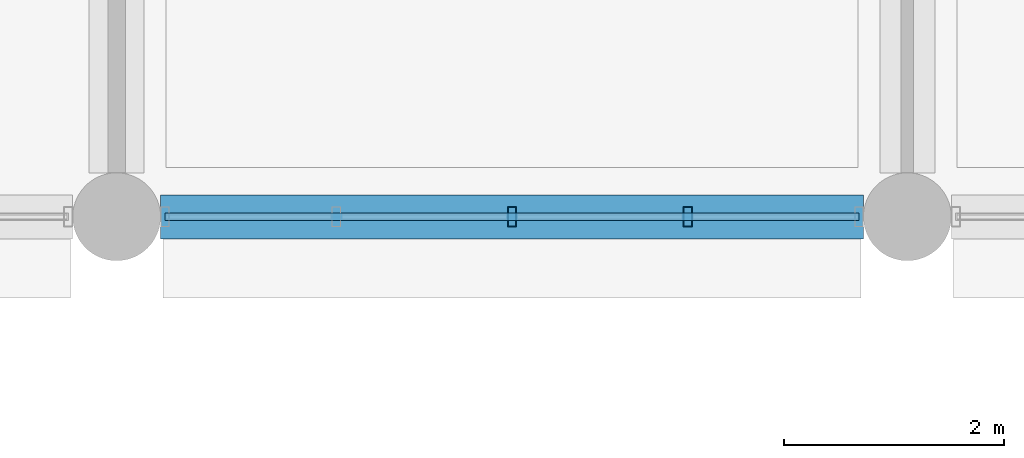
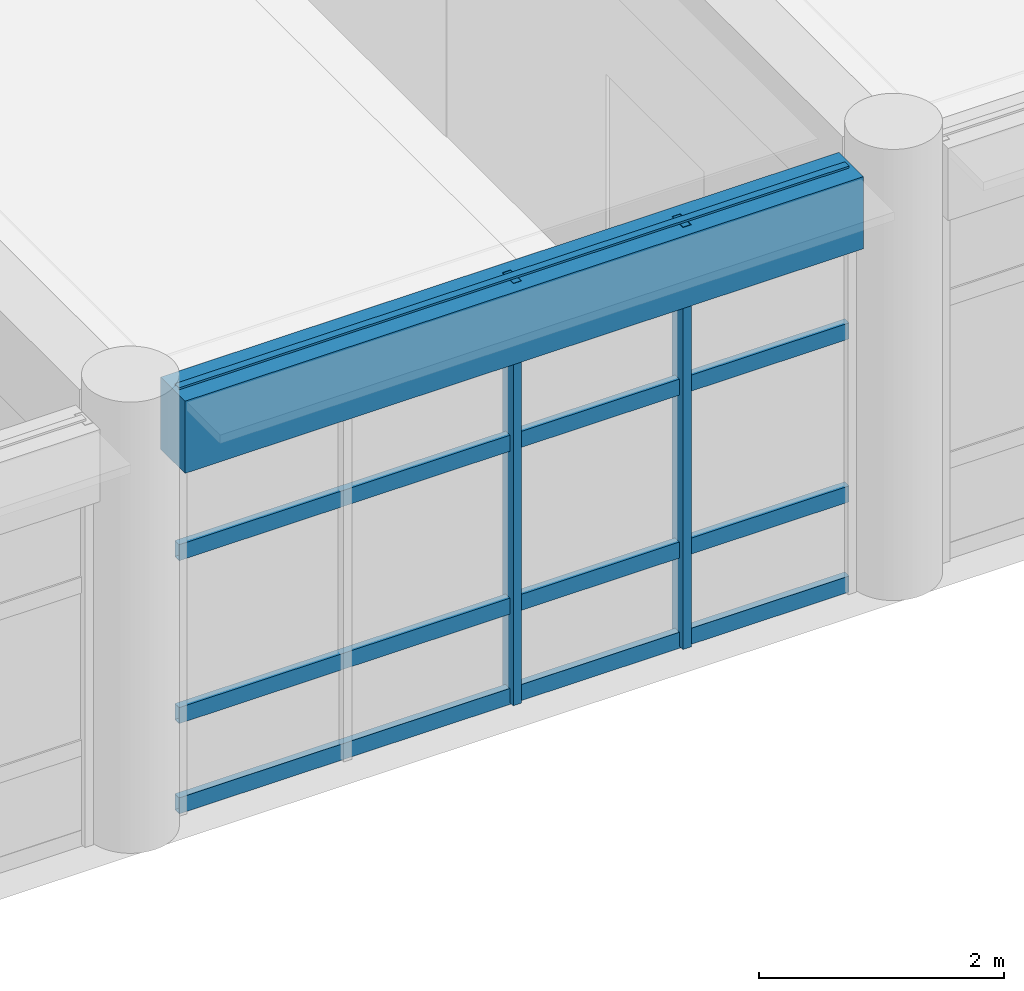
# One storey, part 29 of 171: 6 members, 1 beam, 1 element without a shape of its own.
"""IFC4 building model written with IfcOpenShell, lengths in metres."""

from ifc_helpers import new_model, si_unit, direction, frame, origin, origin_2d, place, context, subcontext, project, spatial, rectangle, hollow_rectangle, extrude, material, material_profile, profile_set, type_object, element, aggregate, save


model = new_model("IFC4")

# Units and contexts
model_context = context("Model", 3, precision=1e-05, world=origin(), true_north=direction((0.0, 1.0)))
body_context = subcontext(model_context, "Body", "Model", "MODEL_VIEW")
ifc_project = project(units=[si_unit("LENGTHUNIT", "METRE"), si_unit("AREAUNIT", "SQUARE_METRE"), si_unit("VOLUMEUNIT", "CUBIC_METRE"), si_unit("PLANEANGLEUNIT", "RADIAN"), si_unit("MASSUNIT", "GRAM", prefix="KILO")], contexts=[model_context])

# Site, building, storey
site_placement = place(None, origin())
site = spatial("IfcSite", under=ifc_project, at=site_placement, CompositionType="ELEMENT")
building_placement = place(site_placement, origin())
building = spatial("IfcBuilding", under=site, at=building_placement, Name="Thalmaran Polytechnic", CompositionType="ELEMENT")
storey_placement = place(building_placement, frame((0.0, 0.0, 5.39990234375)))
storey = spatial("IfcBuildingStorey", under=building, at=storey_placement, Name="L01", CompositionType="ELEMENT", Elevation=5.39990234375)

# Beam
ifc_material_1 = material(Name="Concrete C40/50", Category="concrete")
ifc_material_profile_1 = material_profile(ifc_material_1, rectangle(XDim=0.39990234375, YDim=0.719970703125, at=origin_2d()), Name="RC 400x720")
ifc_profile_set_1 = profile_set([ifc_material_profile_1], Name="Concrete C40/50")
beam_type = type_object("IfcBeamType", Name="BM-SP01", PredefinedType="SPANDREL", material=ifc_profile_set_1)
beam_placement = place(storey_placement, frame((58.0, 50.39990234375, 3.85009765625), z_axis=(1.0, 0.0, 0.0), x_axis=(0.0, 1.0, 0.0)))
element("IfcBeam", 1, at=beam_placement, inside=storey, type_object=beam_type, Name="Grid Beam SP01 L01 X(8,7)", PredefinedType="SPANDREL", context=body_context, shape_type="SweptSolid", body=[
    extrude(rectangle(XDim=0.39990234375, YDim=0.719970703125, at=origin_2d()), origin(), (0.0, 0.0, 1.0), 6.39990234375),
])

# Curtain wall, members
ifc_material_2 = material(Name="Aluminium 6063-T6", Category="aluminium")
curtain_wall_type = type_object("IfcCurtainWallType", Name="CW-SC01", PredefinedType="USERDEFINED", material=ifc_material_2)
curtain_wall_placement = place(storey_placement, origin())
curtain_wall = element("IfcCurtainWall", 2, at=curtain_wall_placement, inside=storey, type_object=curtain_wall_type, Name="Curtain Wall CW-L01-152", ObjectType="STICK CURTAIN WALL", PredefinedType="USERDEFINED")
ifc_material_profile_2 = material_profile(ifc_material_2, hollow_rectangle(XDim=0.080078125, YDim=0.179931640625, WallThickness=0.0048828125, at=origin_2d()), Name="RHS 180x80x5.0")
ifc_profile_set_2 = profile_set([ifc_material_profile_2], Name="Aluminium 6063-T6")
member_type_1 = type_object("IfcMemberType", Name="CW-MUL1", PredefinedType="MULLION", material=ifc_profile_set_2)
member_1_placement = place(storey_placement, frame((62.800048828125, 50.39990234375, 0.0), z_axis=(0.0, 0.0, 1.0), x_axis=(1.0, 0.0, 0.0)))
member_1 = element("IfcMember", 3, at=member_1_placement, type_object=member_type_1, Name="CW-L01-152 Mullion 2", PredefinedType="MULLION", context=body_context, shape_type="SweptSolid", body=[
    extrude(hollow_rectangle(XDim=0.080078125, YDim=0.179931640625, WallThickness=0.0048828125, at=origin_2d()), origin(), (0.0, 0.0, 1.0), 4.210205078125),
])
member_2_placement = place(storey_placement, frame((61.199951171875, 50.39990234375, 0.0), z_axis=(0.0, 0.0, 1.0), x_axis=(1.0, 0.0, 0.0)))
member_2 = element("IfcMember", 4, at=member_2_placement, type_object=member_type_1, Name="CW-L01-152 Mullion 3", PredefinedType="MULLION", context=body_context, shape_type="SweptSolid", body=[
    extrude(hollow_rectangle(XDim=0.080078125, YDim=0.179931640625, WallThickness=0.0048828125, at=origin_2d()), origin(), (0.0, 0.0, 1.0), 4.210205078125),
])
ifc_material_profile_3 = material_profile(ifc_material_2, hollow_rectangle(XDim=0.070068359375, YDim=0.159912109375, WallThickness=0.00390625, at=origin_2d()), Name="AL 160x70x4.0")
ifc_profile_set_3 = profile_set([ifc_material_profile_3], Name="Aluminium 6063-T6")
member_type_2 = type_object("IfcMemberType", Name="CW-TRN1", PredefinedType="USERDEFINED", material=ifc_profile_set_3)
member_3_placement = place(storey_placement, frame((64.360107421875, 50.39990234375, 0.06005859375), z_axis=(-1.0, 0.0, 0.0), x_axis=(0.0, -1.0, 0.0)))
member_3 = element("IfcMember", 5, at=member_3_placement, type_object=member_type_2, Name="CW-L01-152 Transom 1", ObjectType="TRANSOM", PredefinedType="USERDEFINED", context=body_context, shape_type="SweptSolid", body=[
    extrude(hollow_rectangle(XDim=0.070068359375, YDim=0.159912109375, WallThickness=0.00390625, at=origin_2d()), origin(), (0.0, 0.0, 1.0), 6.320068359375),
])
member_4_placement = place(storey_placement, frame((64.360107421875, 50.39990234375, 0.960205078125), z_axis=(-1.0, 0.0, 0.0), x_axis=(0.0, -1.0, 0.0)))
member_4 = element("IfcMember", 6, at=member_4_placement, type_object=member_type_2, Name="CW-L01-152 Transom 2", ObjectType="TRANSOM", PredefinedType="USERDEFINED", context=body_context, shape_type="SweptSolid", body=[
    extrude(hollow_rectangle(XDim=0.070068359375, YDim=0.159912109375, WallThickness=0.00390625, at=origin_2d()), origin(), (0.0, 0.0, 1.0), 6.320068359375),
])
member_5_placement = place(storey_placement, frame((64.360107421875, 50.39990234375, 2.585205078125), z_axis=(-1.0, 0.0, 0.0), x_axis=(0.0, -1.0, 0.0)))
member_5 = element("IfcMember", 7, at=member_5_placement, type_object=member_type_2, Name="CW-L01-152 Transom 3", ObjectType="TRANSOM", PredefinedType="USERDEFINED", context=body_context, shape_type="SweptSolid", body=[
    extrude(hollow_rectangle(XDim=0.070068359375, YDim=0.159912109375, WallThickness=0.00390625, at=origin_2d()), origin(), (0.0, 0.0, 1.0), 6.320068359375),
])
member_6_placement = place(storey_placement, frame((64.360107421875, 50.39990234375, 4.150146484375), z_axis=(-1.0, 0.0, 0.0), x_axis=(0.0, -1.0, 0.0)))
member_6 = element("IfcMember", 8, at=member_6_placement, type_object=member_type_2, Name="CW-L01-152 Transom 4", ObjectType="TRANSOM", PredefinedType="USERDEFINED", context=body_context, shape_type="SweptSolid", body=[
    extrude(hollow_rectangle(XDim=0.070068359375, YDim=0.159912109375, WallThickness=0.00390625, at=origin_2d()), origin(), (0.0, 0.0, 1.0), 6.320068359375),
])
aggregate(curtain_wall, [member_1, member_2, member_3, member_4, member_5, member_6])

save(model, "model.ifc")
